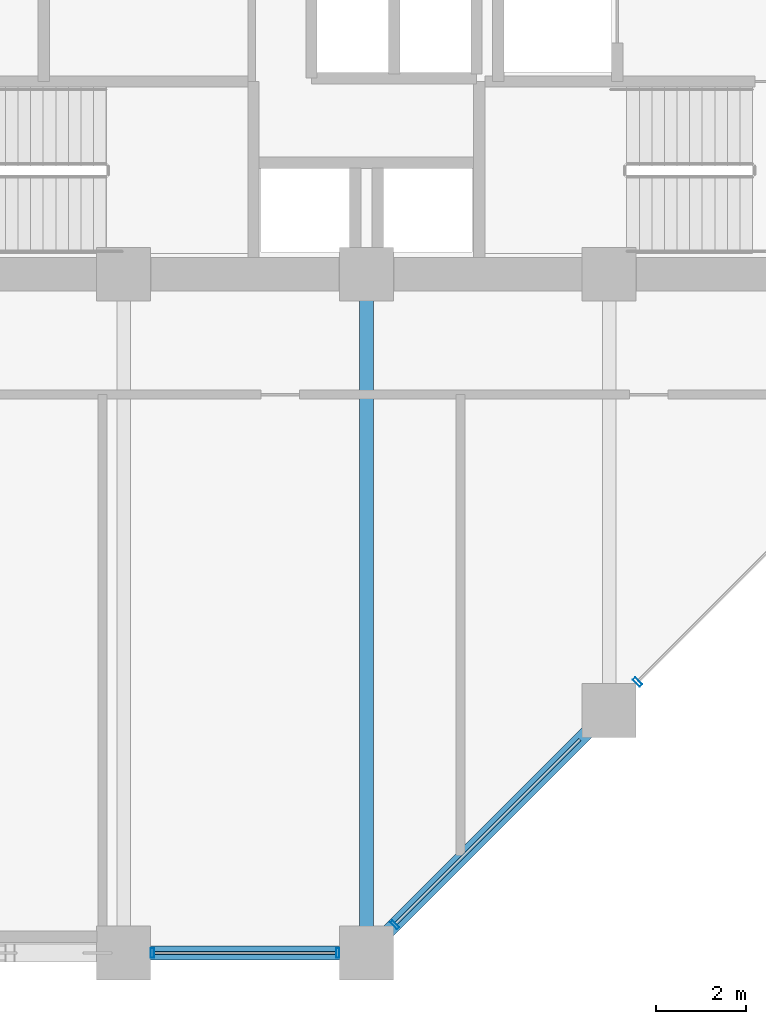
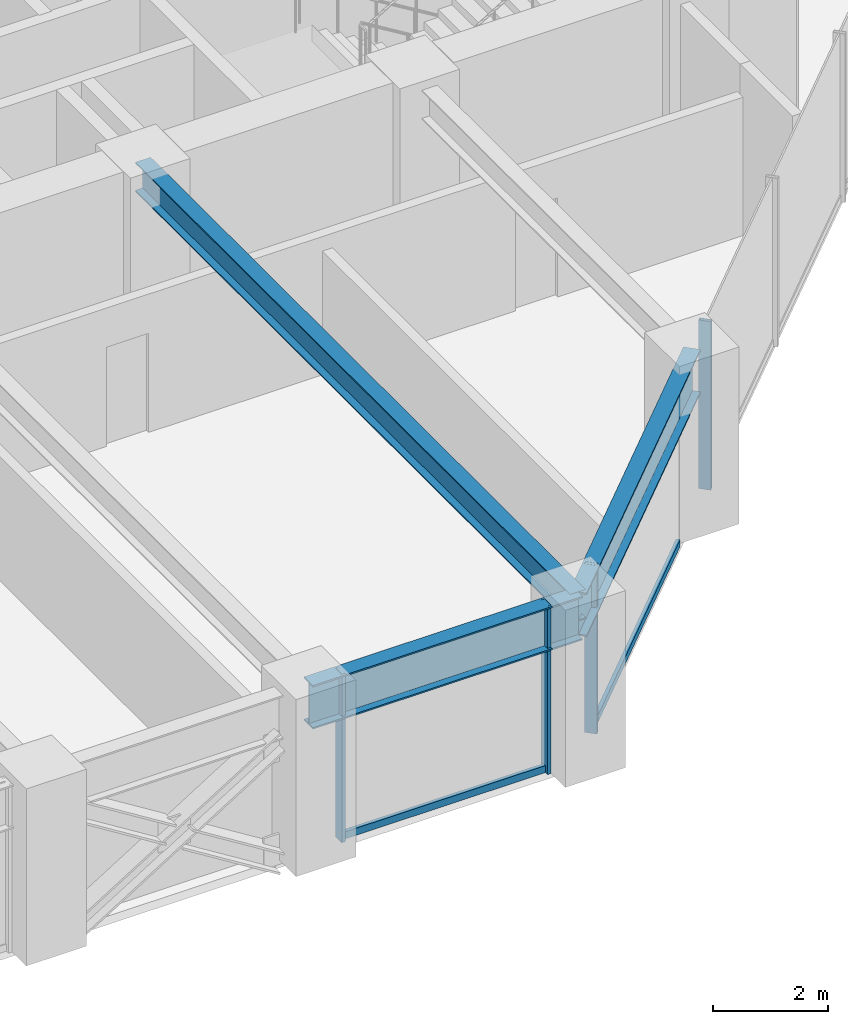
# One storey, part 7 of 28: 6 members, 3 beams, 2 elements without a shape of their own.
"""IFC4 building model written with IfcOpenShell, lengths in metres."""

from ifc_helpers import new_model, si_unit, direction, frame, origin, origin_2d, place, context, subcontext, project, spatial, hollow_rectangle, i_section, extrude, material, layer, layer_set, material_profile, profile_set, type_object, element, aggregate, save


model = new_model("IFC4")

# Units and contexts
model_context = context("Model", 3, precision=1e-05, world=origin(), true_north=direction((0.0, 1.0)))
body_context = subcontext(model_context, "Body", "Model", "MODEL_VIEW")
ifc_project = project(units=[si_unit("LENGTHUNIT", "METRE"), si_unit("AREAUNIT", "SQUARE_METRE"), si_unit("VOLUMEUNIT", "CUBIC_METRE"), si_unit("PLANEANGLEUNIT", "RADIAN"), si_unit("MASSUNIT", "GRAM", prefix="KILO")], contexts=[model_context])

# Site, building, storey
site_placement = place(None, origin())
site = spatial("IfcSite", under=ifc_project, at=site_placement, CompositionType="ELEMENT")
building_placement = place(site_placement, origin())
building = spatial("IfcBuilding", under=site, at=building_placement, Name="Surkhivell Harbour Commons", CompositionType="ELEMENT")
storey_placement = place(building_placement, frame((0.0, 0.0, 63.75)))
storey = spatial("IfcBuildingStorey", under=building, at=storey_placement, Name="L16", CompositionType="ELEMENT", Elevation=63.75)

# Beams
ifc_material_1 = material(Name="Steel S355", Category="steel")
ifc_material_profile_1 = material_profile(ifc_material_1, i_section(OverallWidth=0.306884765625, OverallDepth=0.6201171875, WebThickness=0.01416015625, FlangeThickness=0.023681640625, at=origin_2d()), Name="UB610x305x179")
ifc_profile_set_1 = profile_set([ifc_material_profile_1], Name="Steel S355")
beam_type_1 = type_object("IfcBeamType", Name="BM-GRD-610A", PredefinedType="BEAM", material=ifc_profile_set_1)
beam_1_placement = place(storey_placement, frame((0.0, -25.89990234375, 3.260009765625), z_axis=(0.0, 1.0, 0.0), x_axis=(-1.0, 0.0, 0.0)))
element("IfcBeam", 1, at=beam_1_placement, inside=storey, type_object=beam_type_1, Name="L16 Floor Girder (0.0,-25.9)", PredefinedType="BEAM", context=body_context, shape_type="SweptSolid", body=[
    extrude(i_section(OverallWidth=0.306884765625, OverallDepth=0.6201171875, WebThickness=0.01416015625, FlangeThickness=0.023681640625, at=origin_2d()), origin(), (0.0, 0.0, 1.0), 15.099853515625),
])
ifc_material_2 = material(Name="Steel S460", Category="steel")
ifc_material_profile_2 = material_profile(ifc_material_2, i_section(OverallWidth=0.30810546875, OverallDepth=0.927001953125, WebThickness=0.01953125, FlangeThickness=0.031982421875, at=origin_2d()), Name="UB914x305x289")
ifc_profile_set_2 = profile_set([ifc_material_profile_2], Name="Steel S460")
beam_type_2 = type_object("IfcBeamType", Name="BM-SPN-914B", PredefinedType="SPANDREL", material=ifc_profile_set_2)
beam_2_placement = place(storey_placement, frame((-5.39990234375, -25.89990234375, 3.1064453125), z_axis=(1.0, 0.0, 0.0), x_axis=(0.0, 1.0, 0.0)))
element("IfcBeam", 2, at=beam_2_placement, inside=storey, type_object=beam_type_2, Name="L16 Tube Spandrel (-5.4,-25.9)", PredefinedType="SPANDREL", context=body_context, shape_type="SweptSolid", body=[
    extrude(i_section(OverallWidth=0.30810546875, OverallDepth=0.927001953125, WebThickness=0.01953125, FlangeThickness=0.031982421875, at=origin_2d()), origin(), (0.0, 0.0, 1.0), 5.39990234375),
])
beam_3_placement = place(storey_placement, frame((0.0, -25.89990234375, 3.1064453125), z_axis=(0.707106781187, 0.707106781187, 0.0), x_axis=(-0.707106781187, 0.707106781187, 0.0)))
element("IfcBeam", 3, at=beam_3_placement, inside=storey, type_object=beam_type_2, Name="L16 Tube Spandrel (-0.0,-25.9)", PredefinedType="SPANDREL", context=body_context, shape_type="SweptSolid", body=[
    extrude(i_section(OverallWidth=0.30810546875, OverallDepth=0.927001953125, WebThickness=0.01953125, FlangeThickness=0.031982421875, at=origin_2d()), origin(), (0.0, 0.0, 1.0), 7.63671875),
])

# Curtain wall, members
ifc_material_3 = material(Name="Anodised pale-metal aluminium and insulated glazing", Category="aluminium")
ifc_layer = layer(ifc_material_3, 0.219970703125)
ifc_layer_set = layer_set([ifc_layer], Name="Anodised pale-metal aluminium and insulated glazing")
curtain_wall_type = type_object("IfcCurtainWallType", Name="CW-SYS-Z1", PredefinedType="NOTDEFINED", material=ifc_layer_set)
curtain_wall_1_placement = place(storey_placement, origin())
curtain_wall_1 = element("IfcCurtainWall", 4, at=curtain_wall_1_placement, inside=storey, type_object=curtain_wall_type, Name="L16 Curtain Wall CW-L16-E00S2", PredefinedType="NOTDEFINED")
ifc_material_4 = material(Name="Anodised pale-metal aluminium alloy 6063-T6", Category="aluminium")
ifc_material_profile_3 = material_profile(ifc_material_4, hollow_rectangle(XDim=0.074951171875, YDim=0.219970703125, WallThickness=0.00390625, at=origin_2d()), Name="ALU-MULL-75x220")
ifc_profile_set_3 = profile_set([ifc_material_profile_3], Name="Anodised pale-metal aluminium alloy 6063-T6")
member_type_1 = type_object("IfcMemberType", Name="CWM-220", PredefinedType="MULLION", material=ifc_profile_set_3)
member_1_placement = place(storey_placement, frame((-4.760498046875, -25.89990234375, 0.0), z_axis=(0.0, 0.0, 1.0), x_axis=(1.0, 0.0, 0.0)))
member_1 = element("IfcMember", 5, at=member_1_placement, type_object=member_type_1, Name="CW-Z1 mullion 1", PredefinedType="MULLION", context=body_context, shape_type="SweptSolid", body=[
    extrude(hollow_rectangle(XDim=0.074951171875, YDim=0.219970703125, WallThickness=0.00390625, at=origin_2d()), origin(), (0.0, 0.0, 1.0), 3.570068359375),
])
member_2_placement = place(storey_placement, frame((-0.639404296875, -25.89990234375, 0.0), z_axis=(0.0, 0.0, 1.0), x_axis=(1.0, 0.0, 0.0)))
member_2 = element("IfcMember", 6, at=member_2_placement, type_object=member_type_1, Name="CW-Z1 mullion 2", PredefinedType="MULLION", context=body_context, shape_type="SweptSolid", body=[
    extrude(hollow_rectangle(XDim=0.074951171875, YDim=0.219970703125, WallThickness=0.00390625, at=origin_2d()), origin(), (0.0, 0.0, 1.0), 3.570068359375),
])

curtain_wall_2_placement = place(storey_placement, origin())
curtain_wall_2 = element("IfcCurtainWall", 7, at=curtain_wall_2_placement, inside=storey, type_object=curtain_wall_type, Name="L16 Curtain Wall CW-L16-E01", PredefinedType="NOTDEFINED")
member_3_placement = place(storey_placement, frame((0.628173828125, -25.271728515625, 0.0), z_axis=(0.0, 0.0, 1.0), x_axis=(0.707106781187, 0.707106781187, 0.0)))
member_3 = element("IfcMember", 8, at=member_3_placement, type_object=member_type_1, Name="CW-Z1 mullion 1", PredefinedType="MULLION", context=body_context, shape_type="SweptSolid", body=[
    extrude(hollow_rectangle(XDim=0.074951171875, YDim=0.219970703125, WallThickness=0.00390625, at=origin_2d()), origin(), (0.0, 0.0, 1.0), 3.570068359375),
])
member_4_placement = place(storey_placement, frame((6.0283203125, -19.871826171875, 0.0), z_axis=(0.0, 0.0, 1.0), x_axis=(0.707106781187, 0.707106781187, 0.0)))
member_4 = element("IfcMember", 9, at=member_4_placement, type_object=member_type_1, Name="CW-Z1 mullion 2", PredefinedType="MULLION", context=body_context, shape_type="SweptSolid", body=[
    extrude(hollow_rectangle(XDim=0.074951171875, YDim=0.219970703125, WallThickness=0.00390625, at=origin_2d()), origin(), (0.0, 0.0, 1.0), 3.570068359375),
])

# Member
ifc_material_profile_4 = material_profile(ifc_material_4, hollow_rectangle(XDim=0.074951171875, YDim=0.14990234375, WallThickness=0.00341796875, at=origin_2d()), Name="ALU-TRAN-75x150")
ifc_profile_set_4 = profile_set([ifc_material_profile_4], Name="Anodised pale-metal aluminium alloy 6063-T6")
member_type_2 = type_object("IfcMemberType", Name="CWT-150", PredefinedType="USERDEFINED", material=ifc_profile_set_4)
member_5_placement = place(storey_placement, frame((-4.722900390625, -25.89990234375, 0.074951171875), z_axis=(1.0, 0.0, 0.0), x_axis=(0.0, 1.0, 0.0)))
member_5 = element("IfcMember", 10, at=member_5_placement, type_object=member_type_2, Name="CW-Z1 transom 1.1", ObjectType="TRANSOM", PredefinedType="USERDEFINED", context=body_context, shape_type="SweptSolid", body=[
    extrude(hollow_rectangle(XDim=0.074951171875, YDim=0.14990234375, WallThickness=0.00341796875, at=origin_2d()), origin(), (0.0, 0.0, 1.0), 4.0458984375),
])

aggregate(curtain_wall_1, [member_1, member_2, member_5])

member_6_placement = place(storey_placement, frame((0.65478515625, -25.2451171875, 0.074951171875), z_axis=(0.707106781187, 0.707106781187, 0.0), x_axis=(-0.707106781187, 0.707106781187, 0.0)))
member_6 = element("IfcMember", 11, at=member_6_placement, type_object=member_type_2, Name="CW-Z1 transom 1.1", ObjectType="TRANSOM", PredefinedType="USERDEFINED", context=body_context, shape_type="SweptSolid", body=[
    extrude(hollow_rectangle(XDim=0.074951171875, YDim=0.14990234375, WallThickness=0.00341796875, at=origin_2d()), origin(), (0.0, 0.0, 1.0), 5.78466796875),
])

aggregate(curtain_wall_2, [member_3, member_6, member_4])

save(model, "model.ifc")
